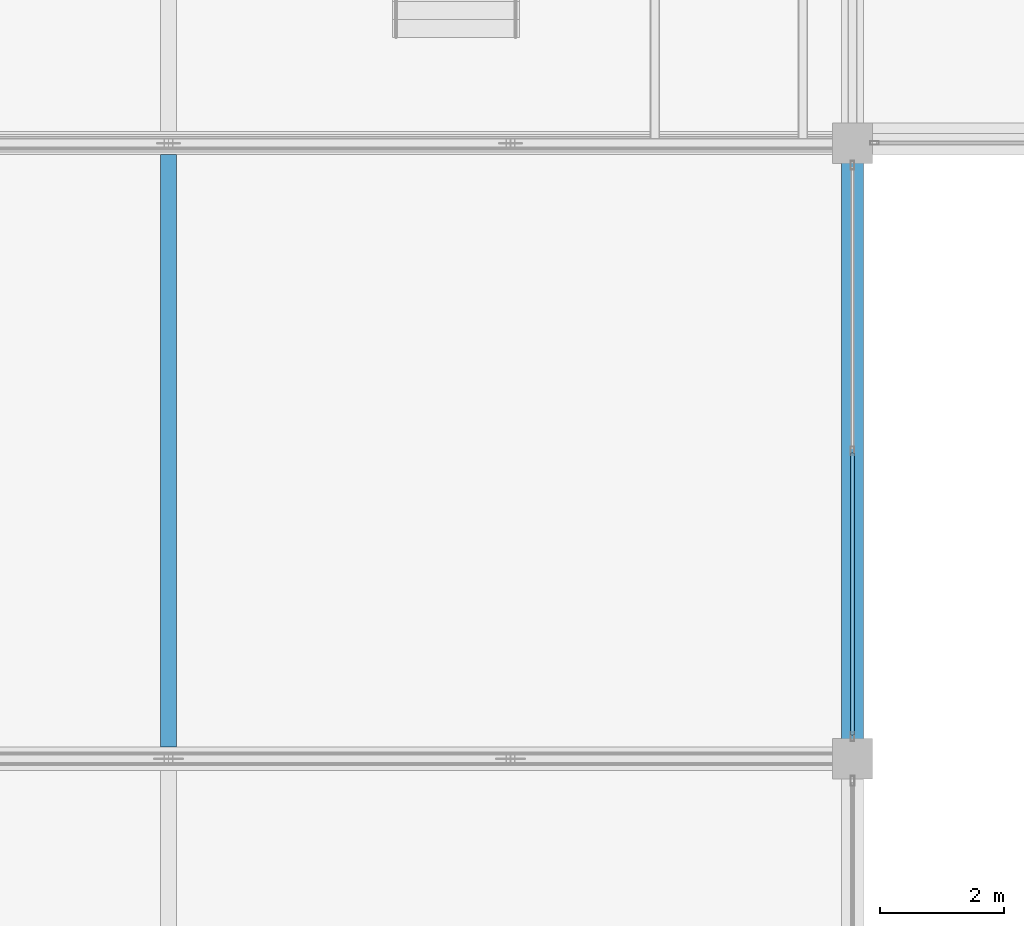
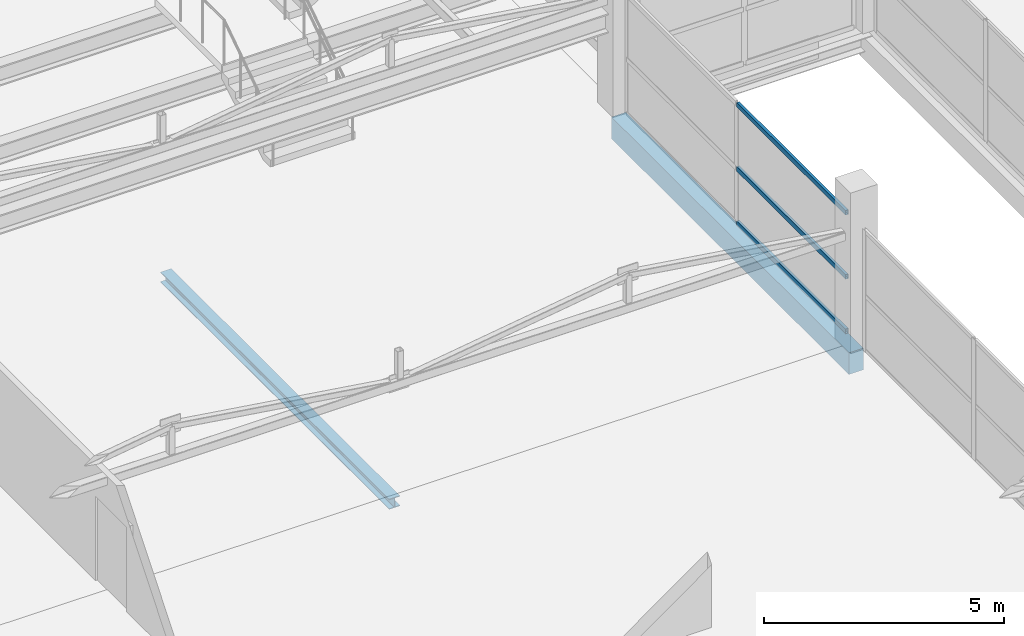
# One storey, part 27 of 70: 3 members, 2 beams, 1 element without a shape of its own.
"""IFC4 building model written with IfcOpenShell, lengths in metres."""

import ifcopenshell
import ifcopenshell.guid

model = None  # the IFC model being written
_history = None  # IfcOwnerHistory: only IFC2X3 demands one
_inside = {}  # id of a spatial element -> (the spatial element, [elements in it])
_under = {}  # id of a project, library or spatial element -> (it, [spatial elements below it])
_declared = {}  # id of a project -> (the project, [libraries it declares])
_typed = {}  # id of a type object -> (the type object, [elements of that type])
_made_of = {}  # id of a material, layer set ... -> (it, [elements and type objects made of it])


def new_model(schema):
    """Start an empty IFC model of exactly this schema.

    Asked for "IFC4X3", IfcOpenShell would pick the latest addendum, in which some entities
    have other attributes; the version numbers below select the first issue.
    IFC2X3 requires an IfcOwnerHistory on every rooted entity: one is made here for all.
    """
    global model, _history
    if schema == "IFC4X3":
        model = ifcopenshell.file(schema_version=(4, 3, 0, 0))
    else:
        model = ifcopenshell.file(schema=schema)
    _inside.clear()
    _under.clear()
    _declared.clear()
    _typed.clear()
    _made_of.clear()
    _history = None
    if model.schema == "IFC2X3":
        org = make("IfcOrganization", Name="unknown")
        user = make(
            "IfcPersonAndOrganization",
            ThePerson=make("IfcPerson", FamilyName="unknown"),
            TheOrganization=org,
        )
        app = make(
            "IfcApplication",
            ApplicationDeveloper=org,
            Version="unknown",
            ApplicationFullName="unknown",
            ApplicationIdentifier="unknown",
        )
        _history = make(
            "IfcOwnerHistory",
            OwningUser=user,
            OwningApplication=app,
            ChangeAction="ADDED",
            CreationDate=0,
        )
    return model


def make(cls, **values):
    """One entity of the class cls with the attributes given. An attribute that is None is left unset."""
    return model.create_entity(
        cls, **{name: value for name, value in values.items() if value is not None}
    )


def rooted(cls, **values):
    """An entity with a GlobalId (a new one), such as an element, a storey or a relation."""
    return make(cls, GlobalId=ifcopenshell.guid.new(), OwnerHistory=_history, **values)


def si_unit(unit_type, name, prefix=None):
    """IfcSIUnit, for example si_unit("LENGTHUNIT", "METRE", prefix="MILLI")."""
    return make("IfcSIUnit", UnitType=unit_type, Prefix=prefix, Name=name)


def assignment(units):
    """IfcUnitAssignment: the units of a project."""
    return None if units is None else make("IfcUnitAssignment", Units=units)


def point(xyz):
    """IfcCartesianPoint."""
    return None if xyz is None else make("IfcCartesianPoint", Coordinates=xyz)


def direction(xyz):
    """IfcDirection."""
    return None if xyz is None else make("IfcDirection", DirectionRatios=xyz)


def frame(location, z_axis=None, x_axis=None):
    """IfcAxis2Placement3D, a coordinate frame: its origin and axes. An axis left out is left unset."""
    return make(
        "IfcAxis2Placement3D",
        Location=point(location),
        Axis=direction(z_axis),
        RefDirection=direction(x_axis),
    )


def frame_2d(location, x_axis=None):
    """IfcAxis2Placement2D, a coordinate frame in the plane: its origin and x axis."""
    return make(
        "IfcAxis2Placement2D", Location=point(location), RefDirection=direction(x_axis)
    )


def origin():
    """The frame at (0, 0, 0) with its axes left unset."""
    return frame((0.0, 0.0, 0.0))


def origin_2d():
    """The frame at (0, 0) in the plane with its x axis left unset."""
    return frame_2d((0.0, 0.0))


def place(relative_to, where):
    """IfcLocalPlacement: puts the frame where relative to a parent placement (None: the world)."""
    return make(
        "IfcLocalPlacement", PlacementRelTo=relative_to, RelativePlacement=where
    )


def context(
    kind, dimensions, precision=None, world=None, true_north=None, identifier=None
):
    """IfcGeometricRepresentationContext, for example the 3D "Model" context."""
    return make(
        "IfcGeometricRepresentationContext",
        ContextIdentifier=identifier,
        ContextType=kind,
        CoordinateSpaceDimension=dimensions,
        Precision=precision,
        WorldCoordinateSystem=world,
        TrueNorth=true_north,
    )


def subcontext(parent, identifier, kind, view, scale=None):
    """IfcGeometricRepresentationSubContext, for example "Body" below "Model"."""
    return make(
        "IfcGeometricRepresentationSubContext",
        ContextIdentifier=identifier,
        ContextType=kind,
        ParentContext=parent,
        TargetScale=scale,
        TargetView=view,
    )


def project(units=None, contexts=None):
    """IfcProject with its units and contexts."""
    return rooted(
        "IfcProject",
        Name="project",
        RepresentationContexts=contexts,
        UnitsInContext=assignment(units),
    )


def spatial(cls, under=None, at=None, **own):
    """A site, building, storey or space (cls), placed at a placement, below another one or the project."""
    s = rooted(cls, ObjectPlacement=at, **own)
    if under is not None:
        _under.setdefault(under.id(), (under, []))[1].append(s)
    return s


def profile(cls, at=None, kind="AREA", **sizes):
    """A parametric profile (cls). Its sizes go by their IFC names, for example OverallWidth=200.0."""
    return make(cls, ProfileType=kind, Position=at, **sizes)


def rectangle(**sizes):
    """IfcRectangleProfileDef."""
    return profile("IfcRectangleProfileDef", **sizes)


def hollow_rectangle(**sizes):
    """IfcRectangleHollowProfileDef."""
    return profile("IfcRectangleHollowProfileDef", **sizes)


def i_section(**sizes):
    """IfcIShapeProfileDef."""
    return profile("IfcIShapeProfileDef", **sizes)


def extrude(swept, where, along, depth):
    """IfcExtrudedAreaSolid: the profile swept, set in the frame where, extruded along a direction by depth."""
    return make(
        "IfcExtrudedAreaSolid",
        SweptArea=swept,
        Position=where,
        ExtrudedDirection=direction(along),
        Depth=depth,
    )


def shape(context_of_items, identifier, shape_type, items):
    """IfcShapeRepresentation: the items that make up one representation, for example the "Body"."""
    return make(
        "IfcShapeRepresentation",
        ContextOfItems=context_of_items,
        RepresentationIdentifier=identifier,
        RepresentationType=shape_type,
        Items=items,
    )


def material(Name=None, Category=None):
    """IfcMaterial."""
    return make("IfcMaterial", Name=Name, Category=Category)


def layer(
    of_material, thickness, ventilated=None, Name=None, Category=None, Priority=None
):
    """IfcMaterialLayer: one layer of a wall or slab, of a material (None: an air gap)."""
    return make(
        "IfcMaterialLayer",
        Material=of_material,
        LayerThickness=thickness,
        IsVentilated=ventilated,
        Name=Name,
        Category=Category,
        Priority=Priority,
    )


def layer_set(layers, Name=None):
    """IfcMaterialLayerSet."""
    return make("IfcMaterialLayerSet", MaterialLayers=layers, LayerSetName=Name)


def material_profile(
    of_material, cross_section, Name=None, Category=None, Priority=None
):
    """IfcMaterialProfile: a cross section and its material."""
    return make(
        "IfcMaterialProfile",
        Name=Name,
        Material=of_material,
        Profile=cross_section,
        Priority=Priority,
        Category=Category,
    )


def profile_set(profiles, Name=None, composite=None):
    """IfcMaterialProfileSet."""
    return make(
        "IfcMaterialProfileSet",
        Name=Name,
        MaterialProfiles=profiles,
        CompositeProfile=composite,
    )


def made_of(thing, what):
    """Note that an element or type object is made of a material, layer set ...; save() writes the relation."""
    if what is not None:
        _made_of.setdefault(what.id(), (what, []))[1].append(thing)
    return thing


def type_object(cls, material=None, **own):
    """A type object (cls), such as IfcWallType, which elements share."""
    return made_of(rooted(cls, **own), material)


def element(
    cls,
    number,
    at=None,
    inside=None,
    cuts=None,
    type_object=None,
    material=None,
    context=None,
    identifier="Body",
    shape_type=None,
    held_by="IfcProductDefinitionShape",
    body=None,
    shapes=None,
    **own,
):
    """One element of the class cls, such as IfcWall. Its Tag is "e" and its number.

    at: its placement. inside: the storey or other place that contains it. cuts: it is an
    opening in that element (IfcRelVoidsElement). A single representation is given by context,
    identifier, shape_type and body (its items); several are given by shapes. held_by: the class
    of the entity that holds the representations. save() writes the other relations.
    """
    e = rooted(cls, Tag="e%d" % number, ObjectPlacement=at, **own)
    if body is not None:
        shapes = [shape(context, identifier, shape_type, body)]
    if shapes is not None:
        e.Representation = make(held_by, Representations=shapes)
    if inside is not None:
        _inside.setdefault(inside.id(), (inside, []))[1].append(e)
    if cuts is not None:
        rooted(
            "IfcRelVoidsElement", RelatingBuildingElement=cuts, RelatedOpeningElement=e
        )
    if type_object is not None:
        _typed.setdefault(type_object.id(), (type_object, []))[1].append(e)
    return made_of(e, material)


def aggregate(whole, parts):
    """IfcRelAggregates: a whole, such as a stair, and the parts it consists of."""
    return rooted("IfcRelAggregates", RelatingObject=whole, RelatedObjects=parts)


def save(model, path):
    """Write the relations noted so far, then the file.

    IfcRelAggregates (storeys below a building ...), IfcRelContainedInSpatialStructure (elements
    in a storey), IfcRelDefinesByType, IfcRelAssociatesMaterial and IfcRelDeclares: one each for
    every whole, place, type object, material and project.
    """
    for whole, parts in _under.values():
        aggregate(whole, parts)
    for where, things in _inside.values():
        rooted(
            "IfcRelContainedInSpatialStructure",
            RelatedElements=things,
            RelatingStructure=where,
        )
    for kind, things in _typed.values():
        rooted("IfcRelDefinesByType", RelatedObjects=things, RelatingType=kind)
    for what, things in _made_of.values():
        rooted("IfcRelAssociatesMaterial", RelatedObjects=things, RelatingMaterial=what)
    for by, libraries in _declared.values():
        rooted("IfcRelDeclares", RelatingContext=by, RelatedDefinitions=libraries)
    model.write(path)


model = new_model("IFC4")

# Units and contexts
model_context = context("Model", 3, precision=1e-05, world=origin(), true_north=direction((0.0, 1.0)))
body_context = subcontext(model_context, "Body", "Model", "MODEL_VIEW")
ifc_project = project(units=[si_unit("LENGTHUNIT", "METRE"), si_unit("AREAUNIT", "SQUARE_METRE"), si_unit("VOLUMEUNIT", "CUBIC_METRE"), si_unit("PLANEANGLEUNIT", "RADIAN"), si_unit("MASSUNIT", "GRAM", prefix="KILO")], contexts=[model_context])

# Site, building, storey
site_placement = place(None, origin())
site = spatial("IfcSite", under=ifc_project, at=site_placement, CompositionType="ELEMENT")
building_placement = place(site_placement, origin())
building = spatial("IfcBuilding", under=site, at=building_placement, Name="Sillaruma Civic Art Gallery", CompositionType="ELEMENT")
storey_placement = place(building_placement, frame((0.0, 0.0, 66.300048828125)))
storey = spatial("IfcBuildingStorey", under=building, at=storey_placement, Name="L13", CompositionType="ELEMENT", Elevation=66.300048828125)

# Beams
ifc_material_1 = material(Name="Structural Steel ASTM A992 Gr.50", Category="steel")
ifc_material_profile_1 = material_profile(ifc_material_1, i_section(OverallWidth=0.256103515625, OverallDepth=0.260009765625, WebThickness=0.0107421875, FlangeThickness=0.017333984375, FilletRadius=0.012939453125, at=origin_2d()), Name="W250x89")
ifc_profile_set_1 = profile_set([ifc_material_profile_1], Name="Structural Steel ASTM A992 Gr.50")
beam_type_1 = type_object("IfcBeamType", Name="BM-JOIST-W250x89", PredefinedType="JOIST", material=ifc_profile_set_1)
beam_1_placement = place(storey_placement, frame((81.0, 59.58544921875, -0.360107421875), z_axis=(0.0, 1.0, 0.0), x_axis=(-1.0, 0.0, 0.0)))
element("IfcBeam", 1, at=beam_1_placement, inside=storey, type_object=beam_type_1, Name="Long-Span Gallery Joist JS-04 (L12:7-8)", PredefinedType="JOIST", context=body_context, shape_type="SweptSolid", body=[
    extrude(i_section(OverallWidth=0.256103515625, OverallDepth=0.260009765625, WebThickness=0.0107421875, FlangeThickness=0.017333984375, FilletRadius=0.012939453125, at=origin_2d()), origin(), (0.0, 0.0, 1.0), 9.529052734375),
])
ifc_material_2 = material(Name="Concrete H35 (35 MPa)", Category="concrete")
ifc_material_profile_2 = material_profile(ifc_material_2, rectangle(XDim=0.35009765625, YDim=0.550048828125, at=origin_2d()), Name="RCB350x550")
ifc_profile_set_2 = profile_set([ifc_material_profile_2], Name="Concrete H35 (35 MPa)")
beam_type_2 = type_object("IfcBeamType", Name="BM-SPANDREL-RCB350x550", PredefinedType="SPANDREL", material=ifc_profile_set_2)
beam_2_placement = place(storey_placement, frame((92.0, 59.39990234375, -0.505126953125), z_axis=(0.0, 1.0, 0.0), x_axis=(-1.0, 0.0, 0.0)))
element("IfcBeam", 2, at=beam_2_placement, inside=storey, type_object=beam_type_2, Name="Beam BS-04 (L12:K:7-8)", PredefinedType="SPANDREL", context=body_context, shape_type="SweptSolid", body=[
    extrude(rectangle(XDim=0.35009765625, YDim=0.550048828125, at=origin_2d()), origin(), (0.0, 0.0, 1.0), 9.900146484375),
])

# Curtain wall, members
ifc_material_3 = material(Name="Thermally Broken Extruded Aluminium 6063-T6", Category="aluminium")
ifc_layer = layer(ifc_material_3, 0.139892578125, Name="Thermally Broken Extruded Aluminium 6063-T6")
ifc_layer_set = layer_set([ifc_layer], Name="Thermally Broken Extruded Aluminium 6063-T6")
curtain_wall_type = type_object("IfcCurtainWallType", Name="CW-UNI-105", PredefinedType="NOTDEFINED", material=ifc_layer_set)
curtain_wall_placement = place(storey_placement, origin())
curtain_wall = element("IfcCurtainWall", 3, at=curtain_wall_placement, inside=storey, type_object=curtain_wall_type, Name="Unitised Curtain Wall CW-105 (CW-L13-WBE-5)", PredefinedType="NOTDEFINED")
ifc_material_profile_3 = material_profile(ifc_material_3, hollow_rectangle(XDim=0.06494140625, YDim=0.1201171875, WallThickness=0.00341796875, at=origin_2d()), Name="CWT65x120")
ifc_profile_set_3 = profile_set([ifc_material_profile_3], Name="Thermally Broken Extruded Aluminium 6063-T6")
member_type = type_object("IfcMemberType", Name="MEM-TRN-CWT65x120", PredefinedType="USERDEFINED", material=ifc_profile_set_3)
member_1_placement = place(storey_placement, frame((92.0, 59.784912109375, 0.032470703125), z_axis=(0.0, 1.0, 0.0), x_axis=(-1.0, 0.0, 0.0)))
member_1 = element("IfcMember", 4, at=member_1_placement, type_object=member_type, Name="CW-105 transom 1.1", ObjectType="TRANSOM", PredefinedType="USERDEFINED", context=body_context, shape_type="SweptSolid", body=[
    extrude(hollow_rectangle(XDim=0.06494140625, YDim=0.1201171875, WallThickness=0.00341796875, at=origin_2d()), origin(), (0.0, 0.0, 1.0), 4.53515625),
])
member_2_placement = place(storey_placement, frame((92.0, 59.784912109375, 1.416748046875), z_axis=(0.0, 1.0, 0.0), x_axis=(-1.0, 0.0, 0.0)))
member_2 = element("IfcMember", 5, at=member_2_placement, type_object=member_type, Name="CW-105 transom 1.2", ObjectType="TRANSOM", PredefinedType="USERDEFINED", context=body_context, shape_type="SweptSolid", body=[
    extrude(hollow_rectangle(XDim=0.06494140625, YDim=0.1201171875, WallThickness=0.00341796875, at=origin_2d()), origin(), (0.0, 0.0, 1.0), 4.53515625),
])
member_3_placement = place(storey_placement, frame((92.0, 59.784912109375, 3.04736328125), z_axis=(0.0, 1.0, 0.0), x_axis=(-1.0, 0.0, 0.0)))
member_3 = element("IfcMember", 6, at=member_3_placement, type_object=member_type, Name="CW-105 transom 1.3", ObjectType="TRANSOM", PredefinedType="USERDEFINED", context=body_context, shape_type="SweptSolid", body=[
    extrude(hollow_rectangle(XDim=0.06494140625, YDim=0.1201171875, WallThickness=0.00341796875, at=origin_2d()), origin(), (0.0, 0.0, 1.0), 4.53515625),
])
aggregate(curtain_wall, [member_1, member_2, member_3])

save(model, "model.ifc")
